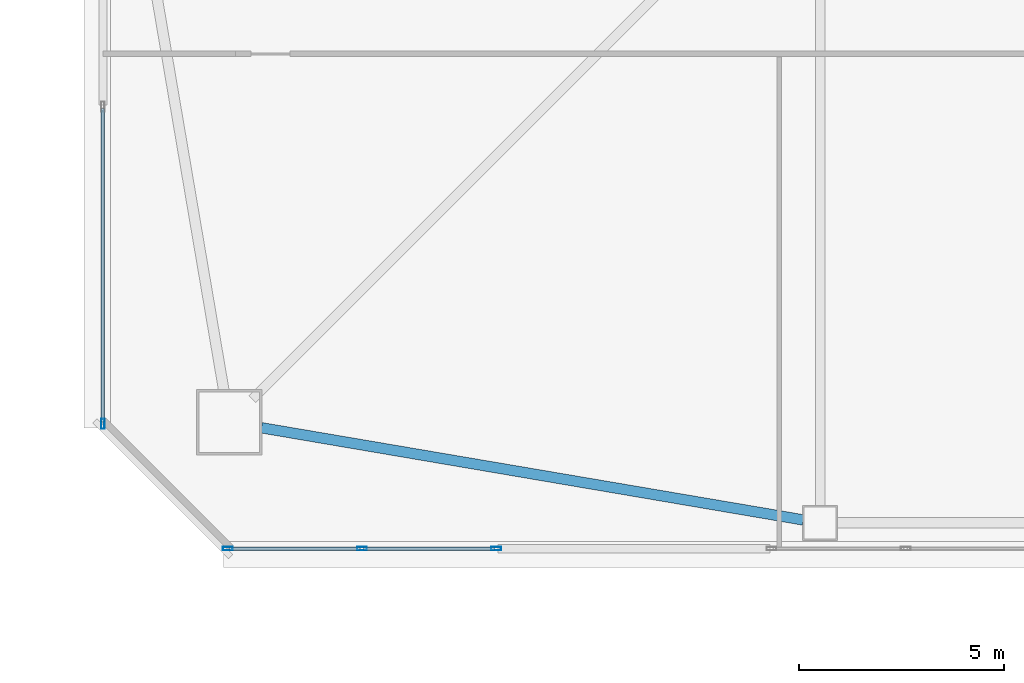
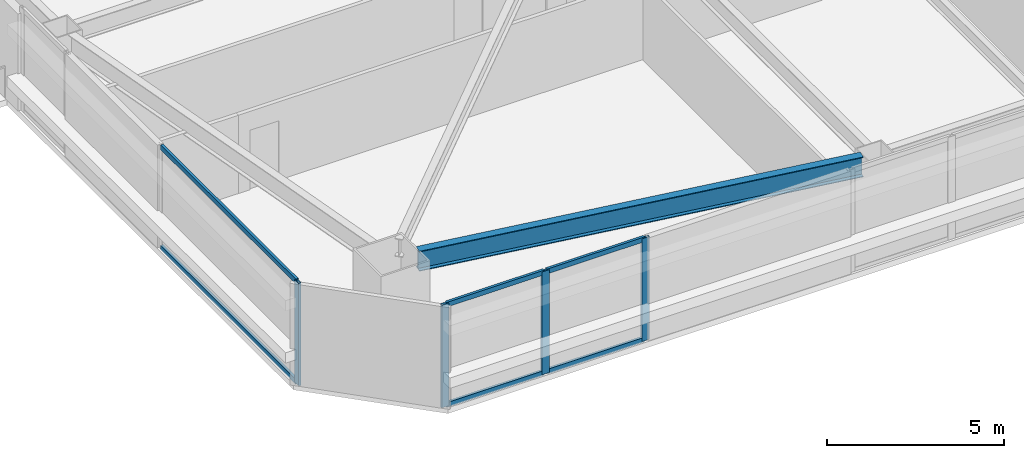
# One storey, part 3 of 47: 10 members, 1 beam, 2 elements without a shape of their own.
"""IFC4 building model written with IfcOpenShell, lengths in metres."""

from ifc_helpers import new_model, si_unit, direction, frame, origin, origin_2d, place, context, subcontext, project, spatial, hollow_rectangle, i_section, extrude, material, material_profile, profile_set, type_object, element, aggregate, save


model = new_model("IFC4")

# Units and contexts
model_context = context("Model", 3, precision=1e-05, world=origin(), true_north=direction((0.0, 1.0)))
body_context = subcontext(model_context, "Body", "Model", "MODEL_VIEW")
ifc_project = project(units=[si_unit("LENGTHUNIT", "METRE"), si_unit("AREAUNIT", "SQUARE_METRE"), si_unit("VOLUMEUNIT", "CUBIC_METRE"), si_unit("PLANEANGLEUNIT", "RADIAN"), si_unit("MASSUNIT", "GRAM", prefix="KILO")], contexts=[model_context])

# Site, building, storey
site_placement = place(None, origin())
site = spatial("IfcSite", under=ifc_project, at=site_placement, CompositionType="ELEMENT")
building_placement = place(site_placement, origin())
building = spatial("IfcBuilding", under=site, at=building_placement, Name="Tashvorn Skyway Center", CompositionType="ELEMENT")
storey_placement = place(building_placement, frame((0.0, 0.0, 42.35009765625)))
storey = spatial("IfcBuildingStorey", under=building, at=storey_placement, Name="L10", CompositionType="ELEMENT", Elevation=42.35009765625)

# Beam
ifc_material_1 = material(Name="Steel ASTM A992 Grade 50", Category="steel")
ifc_material_profile_1 = material_profile(ifc_material_1, i_section(OverallWidth=0.256103515625, OverallDepth=0.693115234375, WebThickness=0.014404296875, FlangeThickness=0.023681640625, at=origin_2d()), Name="W27X114")
ifc_profile_set_1 = profile_set([ifc_material_profile_1], Name="Steel ASTM A992 Grade 50")
beam_type = type_object("IfcBeamType", Name="BM-SPANDREL-W27X114", PredefinedType="SPANDREL", material=ifc_profile_set_1)
beam_placement = place(storey_placement, frame((22.983642578125, 12.066650390625, 3.00341796875), z_axis=(0.985835025551, -0.16771792509, 0.0), x_axis=(0.16771792509, 0.985835025551, 0.0)))
element("IfcBeam", 1, at=beam_placement, inside=storey, type_object=beam_type, Name="Tower 1 L10 Spandrel Beam 01", PredefinedType="SPANDREL", context=body_context, shape_type="SweptSolid", body=[
    extrude(i_section(OverallWidth=0.256103515625, OverallDepth=0.693115234375, WebThickness=0.014404296875, FlangeThickness=0.023681640625, at=origin_2d()), origin(), (0.0, 0.0, 1.0), 13.39208984375),
])

# Curtain wall, members
ifc_material_2 = material(Name="Thermally broken bronze-anodized aluminium 6063-T6", Category="aluminium")
curtain_wall_type = type_object("IfcCurtainWallType", Name="CW-CW-Z1", PredefinedType="NOTDEFINED", material=ifc_material_2)
curtain_wall_1_placement = place(storey_placement, origin())
curtain_wall_1 = element("IfcCurtainWall", 2, at=curtain_wall_1_placement, inside=storey, type_object=curtain_wall_type, Name="Tower 1 L10 South Unitised Curtain Wall Glazing Group 3", PredefinedType="NOTDEFINED")
ifc_material_profile_2 = material_profile(ifc_material_2, hollow_rectangle(XDim=0.0849609375, YDim=0.239990234375, WallThickness=0.0048828125, at=origin_2d()), Name="ALU-MULL-85x240")
ifc_profile_set_2 = profile_set([ifc_material_profile_2], Name="Thermally broken bronze-anodized aluminium 6063-T6")
member_type_1 = type_object("IfcMemberType", Name="CWM-CW-Z1", PredefinedType="MULLION", material=ifc_profile_set_2)
member_1_placement = place(storey_placement, frame((28.7041015625, 9.1201171875, 0.0), z_axis=(0.0, 0.0, 1.0), x_axis=(0.0, -1.0, 0.0)))
member_1 = element("IfcMember", 3, at=member_1_placement, type_object=member_type_1, Name="CW-Z1 mullion 1", PredefinedType="MULLION", context=body_context, shape_type="SweptSolid", body=[
    extrude(hollow_rectangle(XDim=0.0849609375, YDim=0.239990234375, WallThickness=0.0048828125, at=origin_2d()), origin(), (0.0, 0.0, 1.0), 3.5498046875),
])
member_2_placement = place(storey_placement, frame((25.433349609375, 9.1201171875, 0.0), z_axis=(0.0, 0.0, 1.0), x_axis=(0.0, -1.0, 0.0)))
member_2 = element("IfcMember", 4, at=member_2_placement, type_object=member_type_1, Name="CW-Z1 mullion 2", PredefinedType="MULLION", context=body_context, shape_type="SweptSolid", body=[
    extrude(hollow_rectangle(XDim=0.0849609375, YDim=0.239990234375, WallThickness=0.0048828125, at=origin_2d()), origin(), (0.0, 0.0, 1.0), 3.5498046875),
])
member_3_placement = place(storey_placement, frame((22.16259765625, 9.1201171875, 0.0), z_axis=(0.0, 0.0, 1.0), x_axis=(0.0, -1.0, 0.0)))
member_3 = element("IfcMember", 5, at=member_3_placement, type_object=member_type_1, Name="CW-Z1 mullion 3", PredefinedType="MULLION", context=body_context, shape_type="SweptSolid", body=[
    extrude(hollow_rectangle(XDim=0.0849609375, YDim=0.239990234375, WallThickness=0.0048828125, at=origin_2d()), origin(), (0.0, 0.0, 1.0), 3.5498046875),
])

# Curtain wall, member
curtain_wall_2_placement = place(storey_placement, origin())
curtain_wall_2 = element("IfcCurtainWall", 6, at=curtain_wall_2_placement, inside=storey, type_object=curtain_wall_type, Name="Tower 1 L10 West Curtain Wall L Glazing Group 1", PredefinedType="NOTDEFINED")
member_4_placement = place(storey_placement, frame((19.1201171875, 12.16259765625, 0.0), z_axis=(0.0, 0.0, 1.0), x_axis=(-1.0, 0.0, 0.0)))
member_4 = element("IfcMember", 7, at=member_4_placement, type_object=member_type_1, Name="CW-Z1 mullion 1", PredefinedType="MULLION", context=body_context, shape_type="SweptSolid", body=[
    extrude(hollow_rectangle(XDim=0.0849609375, YDim=0.239990234375, WallThickness=0.0048828125, at=origin_2d()), origin(), (0.0, 0.0, 1.0), 3.5498046875),
])

# Member
ifc_material_profile_3 = material_profile(ifc_material_2, hollow_rectangle(XDim=0.0849609375, YDim=0.1650390625, WallThickness=0.0048828125, at=origin_2d()), Name="ALU-TRAN-85x165")
ifc_profile_set_3 = profile_set([ifc_material_profile_3], Name="Thermally broken bronze-anodized aluminium 6063-T6")
member_type_2 = type_object("IfcMemberType", Name="CWT-CW-Z1", PredefinedType="USERDEFINED", material=ifc_profile_set_3)
member_5_placement = place(storey_placement, frame((28.66162109375, 9.1201171875, 0.04248046875), z_axis=(-1.0, 0.0, 0.0), x_axis=(0.0, -1.0, 0.0)))
member_5 = element("IfcMember", 8, at=member_5_placement, type_object=member_type_2, Name="CW-Z1 transom 1.1", ObjectType="TRANSOM", PredefinedType="USERDEFINED", context=body_context, shape_type="SweptSolid", body=[
    extrude(hollow_rectangle(XDim=0.0849609375, YDim=0.1650390625, WallThickness=0.0048828125, at=origin_2d()), origin(), (0.0, 0.0, 1.0), 3.185791015625),
])

member_6_placement = place(storey_placement, frame((28.66162109375, 9.1201171875, 3.50732421875), z_axis=(-1.0, 0.0, 0.0), x_axis=(0.0, -1.0, 0.0)))
member_6 = element("IfcMember", 9, at=member_6_placement, type_object=member_type_2, Name="CW-Z1 transom 1.2", ObjectType="TRANSOM", PredefinedType="USERDEFINED", context=body_context, shape_type="SweptSolid", body=[
    extrude(hollow_rectangle(XDim=0.0849609375, YDim=0.1650390625, WallThickness=0.0048828125, at=origin_2d()), origin(), (0.0, 0.0, 1.0), 3.185791015625),
])

member_7_placement = place(storey_placement, frame((25.390869140625, 9.1201171875, 0.04248046875), z_axis=(-1.0, 0.0, 0.0), x_axis=(0.0, -1.0, 0.0)))
member_7 = element("IfcMember", 10, at=member_7_placement, type_object=member_type_2, Name="CW-Z1 transom 2.1", ObjectType="TRANSOM", PredefinedType="USERDEFINED", context=body_context, shape_type="SweptSolid", body=[
    extrude(hollow_rectangle(XDim=0.0849609375, YDim=0.1650390625, WallThickness=0.0048828125, at=origin_2d()), origin(), (0.0, 0.0, 1.0), 3.185791015625),
])

member_8_placement = place(storey_placement, frame((25.390869140625, 9.1201171875, 3.50732421875), z_axis=(-1.0, 0.0, 0.0), x_axis=(0.0, -1.0, 0.0)))
member_8 = element("IfcMember", 11, at=member_8_placement, type_object=member_type_2, Name="CW-Z1 transom 2.2", ObjectType="TRANSOM", PredefinedType="USERDEFINED", context=body_context, shape_type="SweptSolid", body=[
    extrude(hollow_rectangle(XDim=0.0849609375, YDim=0.1650390625, WallThickness=0.0048828125, at=origin_2d()), origin(), (0.0, 0.0, 1.0), 3.185791015625),
])

aggregate(curtain_wall_1, [member_1, member_2, member_3, member_5, member_6, member_7, member_8])

member_9_placement = place(storey_placement, frame((19.1201171875, 12.205078125, 0.04248046875), z_axis=(0.0, 1.0, 0.0), x_axis=(-1.0, 0.0, 0.0)))
member_9 = element("IfcMember", 12, at=member_9_placement, type_object=member_type_2, Name="CW-Z1 transom 1.1", ObjectType="TRANSOM", PredefinedType="USERDEFINED", context=body_context, shape_type="SweptSolid", body=[
    extrude(hollow_rectangle(XDim=0.0849609375, YDim=0.1650390625, WallThickness=0.0048828125, at=origin_2d()), origin(), (0.0, 0.0, 1.0), 7.64501953125),
])

member_10_placement = place(storey_placement, frame((19.1201171875, 12.205078125, 3.50732421875), z_axis=(0.0, 1.0, 0.0), x_axis=(-1.0, 0.0, 0.0)))
member_10 = element("IfcMember", 13, at=member_10_placement, type_object=member_type_2, Name="CW-Z1 transom 1.2", ObjectType="TRANSOM", PredefinedType="USERDEFINED", context=body_context, shape_type="SweptSolid", body=[
    extrude(hollow_rectangle(XDim=0.0849609375, YDim=0.1650390625, WallThickness=0.0048828125, at=origin_2d()), origin(), (0.0, 0.0, 1.0), 7.64501953125),
])

aggregate(curtain_wall_2, [member_4, member_9, member_10])

save(model, "model.ifc")
